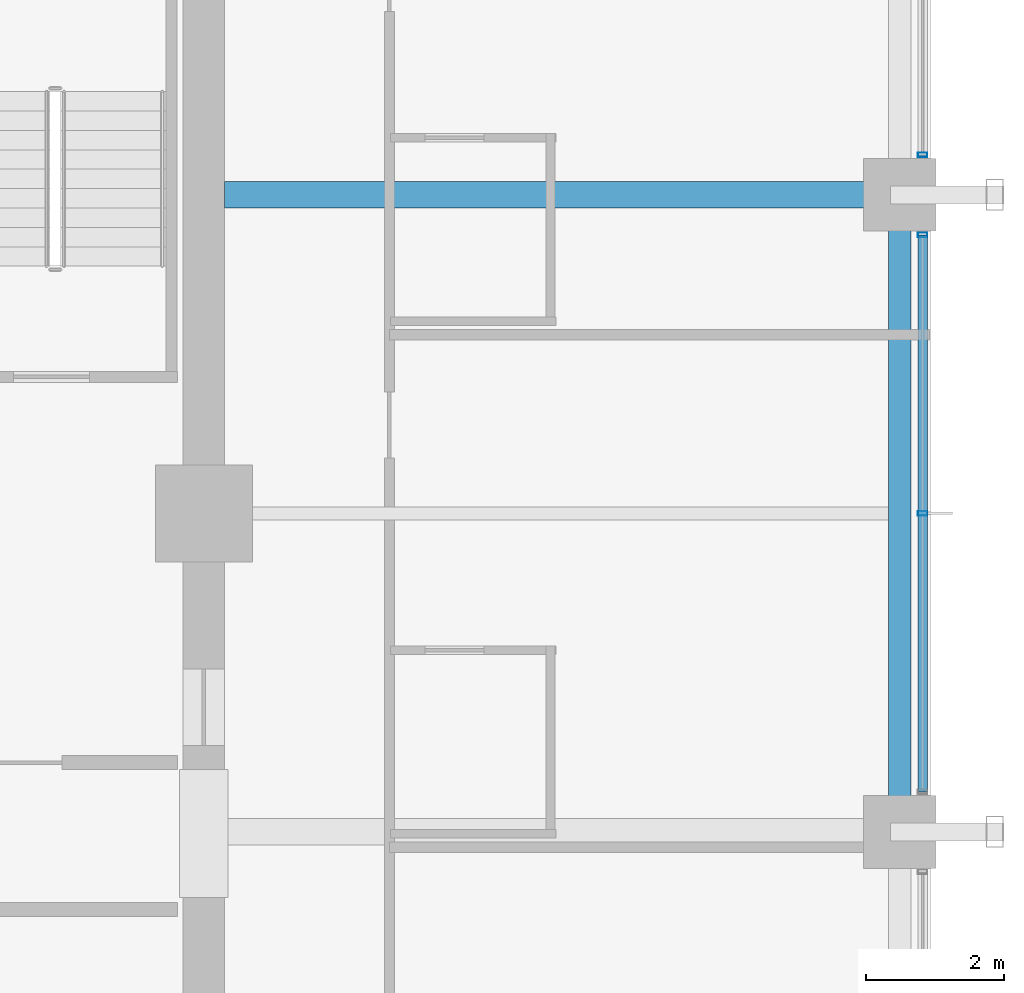
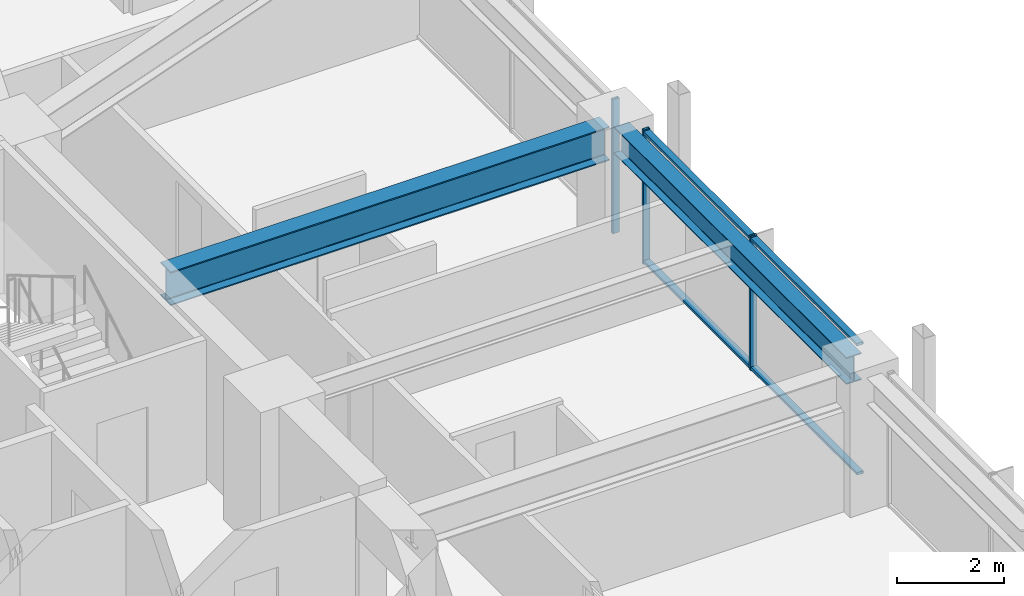
# One storey, part 16 of 38: 5 members, 2 beams, 2 elements without a shape of their own.
"""IFC4 building model written with IfcOpenShell, lengths in metres."""

import ifcopenshell
import ifcopenshell.guid

model = None  # the IFC model being written
_history = None  # IfcOwnerHistory: only IFC2X3 demands one
_inside = {}  # id of a spatial element -> (the spatial element, [elements in it])
_under = {}  # id of a project, library or spatial element -> (it, [spatial elements below it])
_declared = {}  # id of a project -> (the project, [libraries it declares])
_typed = {}  # id of a type object -> (the type object, [elements of that type])
_made_of = {}  # id of a material, layer set ... -> (it, [elements and type objects made of it])


def new_model(schema):
    """Start an empty IFC model of exactly this schema.

    Asked for "IFC4X3", IfcOpenShell would pick the latest addendum, in which some entities
    have other attributes; the version numbers below select the first issue.
    IFC2X3 requires an IfcOwnerHistory on every rooted entity: one is made here for all.
    """
    global model, _history
    if schema == "IFC4X3":
        model = ifcopenshell.file(schema_version=(4, 3, 0, 0))
    else:
        model = ifcopenshell.file(schema=schema)
    _inside.clear()
    _under.clear()
    _declared.clear()
    _typed.clear()
    _made_of.clear()
    _history = None
    if model.schema == "IFC2X3":
        org = make("IfcOrganization", Name="unknown")
        user = make(
            "IfcPersonAndOrganization",
            ThePerson=make("IfcPerson", FamilyName="unknown"),
            TheOrganization=org,
        )
        app = make(
            "IfcApplication",
            ApplicationDeveloper=org,
            Version="unknown",
            ApplicationFullName="unknown",
            ApplicationIdentifier="unknown",
        )
        _history = make(
            "IfcOwnerHistory",
            OwningUser=user,
            OwningApplication=app,
            ChangeAction="ADDED",
            CreationDate=0,
        )
    return model


def make(cls, **values):
    """One entity of the class cls with the attributes given. An attribute that is None is left unset."""
    return model.create_entity(
        cls, **{name: value for name, value in values.items() if value is not None}
    )


def rooted(cls, **values):
    """An entity with a GlobalId (a new one), such as an element, a storey or a relation."""
    return make(cls, GlobalId=ifcopenshell.guid.new(), OwnerHistory=_history, **values)


def si_unit(unit_type, name, prefix=None):
    """IfcSIUnit, for example si_unit("LENGTHUNIT", "METRE", prefix="MILLI")."""
    return make("IfcSIUnit", UnitType=unit_type, Prefix=prefix, Name=name)


def assignment(units):
    """IfcUnitAssignment: the units of a project."""
    return None if units is None else make("IfcUnitAssignment", Units=units)


def point(xyz):
    """IfcCartesianPoint."""
    return None if xyz is None else make("IfcCartesianPoint", Coordinates=xyz)


def direction(xyz):
    """IfcDirection."""
    return None if xyz is None else make("IfcDirection", DirectionRatios=xyz)


def frame(location, z_axis=None, x_axis=None):
    """IfcAxis2Placement3D, a coordinate frame: its origin and axes. An axis left out is left unset."""
    return make(
        "IfcAxis2Placement3D",
        Location=point(location),
        Axis=direction(z_axis),
        RefDirection=direction(x_axis),
    )


def frame_2d(location, x_axis=None):
    """IfcAxis2Placement2D, a coordinate frame in the plane: its origin and x axis."""
    return make(
        "IfcAxis2Placement2D", Location=point(location), RefDirection=direction(x_axis)
    )


def origin():
    """The frame at (0, 0, 0) with its axes left unset."""
    return frame((0.0, 0.0, 0.0))


def origin_2d():
    """The frame at (0, 0) in the plane with its x axis left unset."""
    return frame_2d((0.0, 0.0))


def place(relative_to, where):
    """IfcLocalPlacement: puts the frame where relative to a parent placement (None: the world)."""
    return make(
        "IfcLocalPlacement", PlacementRelTo=relative_to, RelativePlacement=where
    )


def context(
    kind, dimensions, precision=None, world=None, true_north=None, identifier=None
):
    """IfcGeometricRepresentationContext, for example the 3D "Model" context."""
    return make(
        "IfcGeometricRepresentationContext",
        ContextIdentifier=identifier,
        ContextType=kind,
        CoordinateSpaceDimension=dimensions,
        Precision=precision,
        WorldCoordinateSystem=world,
        TrueNorth=true_north,
    )


def subcontext(parent, identifier, kind, view, scale=None):
    """IfcGeometricRepresentationSubContext, for example "Body" below "Model"."""
    return make(
        "IfcGeometricRepresentationSubContext",
        ContextIdentifier=identifier,
        ContextType=kind,
        ParentContext=parent,
        TargetScale=scale,
        TargetView=view,
    )


def project(units=None, contexts=None):
    """IfcProject with its units and contexts."""
    return rooted(
        "IfcProject",
        Name="project",
        RepresentationContexts=contexts,
        UnitsInContext=assignment(units),
    )


def spatial(cls, under=None, at=None, **own):
    """A site, building, storey or space (cls), placed at a placement, below another one or the project."""
    s = rooted(cls, ObjectPlacement=at, **own)
    if under is not None:
        _under.setdefault(under.id(), (under, []))[1].append(s)
    return s


def profile(cls, at=None, kind="AREA", **sizes):
    """A parametric profile (cls). Its sizes go by their IFC names, for example OverallWidth=200.0."""
    return make(cls, ProfileType=kind, Position=at, **sizes)


def hollow_rectangle(**sizes):
    """IfcRectangleHollowProfileDef."""
    return profile("IfcRectangleHollowProfileDef", **sizes)


def i_section(**sizes):
    """IfcIShapeProfileDef."""
    return profile("IfcIShapeProfileDef", **sizes)


def extrude(swept, where, along, depth):
    """IfcExtrudedAreaSolid: the profile swept, set in the frame where, extruded along a direction by depth."""
    return make(
        "IfcExtrudedAreaSolid",
        SweptArea=swept,
        Position=where,
        ExtrudedDirection=direction(along),
        Depth=depth,
    )


def shape(context_of_items, identifier, shape_type, items):
    """IfcShapeRepresentation: the items that make up one representation, for example the "Body"."""
    return make(
        "IfcShapeRepresentation",
        ContextOfItems=context_of_items,
        RepresentationIdentifier=identifier,
        RepresentationType=shape_type,
        Items=items,
    )


def material(Name=None, Category=None):
    """IfcMaterial."""
    return make("IfcMaterial", Name=Name, Category=Category)


def material_profile(
    of_material, cross_section, Name=None, Category=None, Priority=None
):
    """IfcMaterialProfile: a cross section and its material."""
    return make(
        "IfcMaterialProfile",
        Name=Name,
        Material=of_material,
        Profile=cross_section,
        Priority=Priority,
        Category=Category,
    )


def profile_set(profiles, Name=None, composite=None):
    """IfcMaterialProfileSet."""
    return make(
        "IfcMaterialProfileSet",
        Name=Name,
        MaterialProfiles=profiles,
        CompositeProfile=composite,
    )


def made_of(thing, what):
    """Note that an element or type object is made of a material, layer set ...; save() writes the relation."""
    if what is not None:
        _made_of.setdefault(what.id(), (what, []))[1].append(thing)
    return thing


def type_object(cls, material=None, **own):
    """A type object (cls), such as IfcWallType, which elements share."""
    return made_of(rooted(cls, **own), material)


def element(
    cls,
    number,
    at=None,
    inside=None,
    cuts=None,
    type_object=None,
    material=None,
    context=None,
    identifier="Body",
    shape_type=None,
    held_by="IfcProductDefinitionShape",
    body=None,
    shapes=None,
    **own,
):
    """One element of the class cls, such as IfcWall. Its Tag is "e" and its number.

    at: its placement. inside: the storey or other place that contains it. cuts: it is an
    opening in that element (IfcRelVoidsElement). A single representation is given by context,
    identifier, shape_type and body (its items); several are given by shapes. held_by: the class
    of the entity that holds the representations. save() writes the other relations.
    """
    e = rooted(cls, Tag="e%d" % number, ObjectPlacement=at, **own)
    if body is not None:
        shapes = [shape(context, identifier, shape_type, body)]
    if shapes is not None:
        e.Representation = make(held_by, Representations=shapes)
    if inside is not None:
        _inside.setdefault(inside.id(), (inside, []))[1].append(e)
    if cuts is not None:
        rooted(
            "IfcRelVoidsElement", RelatingBuildingElement=cuts, RelatedOpeningElement=e
        )
    if type_object is not None:
        _typed.setdefault(type_object.id(), (type_object, []))[1].append(e)
    return made_of(e, material)


def aggregate(whole, parts):
    """IfcRelAggregates: a whole, such as a stair, and the parts it consists of."""
    return rooted("IfcRelAggregates", RelatingObject=whole, RelatedObjects=parts)


def save(model, path):
    """Write the relations noted so far, then the file.

    IfcRelAggregates (storeys below a building ...), IfcRelContainedInSpatialStructure (elements
    in a storey), IfcRelDefinesByType, IfcRelAssociatesMaterial and IfcRelDeclares: one each for
    every whole, place, type object, material and project.
    """
    for whole, parts in _under.values():
        aggregate(whole, parts)
    for where, things in _inside.values():
        rooted(
            "IfcRelContainedInSpatialStructure",
            RelatedElements=things,
            RelatingStructure=where,
        )
    for kind, things in _typed.values():
        rooted("IfcRelDefinesByType", RelatedObjects=things, RelatingType=kind)
    for what, things in _made_of.values():
        rooted("IfcRelAssociatesMaterial", RelatedObjects=things, RelatingMaterial=what)
    for by, libraries in _declared.values():
        rooted("IfcRelDeclares", RelatingContext=by, RelatedDefinitions=libraries)
    model.write(path)


model = new_model("IFC4")

# Units and contexts
model_context = context("Model", 3, precision=1e-05, world=origin(), true_north=direction((0.0, 1.0)))
body_context = subcontext(model_context, "Body", "Model", "MODEL_VIEW")
ifc_project = project(units=[si_unit("LENGTHUNIT", "METRE"), si_unit("AREAUNIT", "SQUARE_METRE"), si_unit("VOLUMEUNIT", "CUBIC_METRE"), si_unit("PLANEANGLEUNIT", "RADIAN"), si_unit("MASSUNIT", "GRAM", prefix="KILO")], contexts=[model_context])

# Site, building, storey
site_placement = place(None, origin())
site = spatial("IfcSite", under=ifc_project, at=site_placement, CompositionType="ELEMENT")
building_placement = place(site_placement, origin())
building = spatial("IfcBuilding", under=site, at=building_placement, Name="Kolvaren Belvedere", CompositionType="ELEMENT")
storey_placement = place(building_placement, frame((0.0, 0.0, 78.800048828125)))
storey = spatial("IfcBuildingStorey", under=building, at=storey_placement, Name="L22", CompositionType="ELEMENT", Elevation=78.800048828125)

# Beams
ifc_material_1 = material(Name="Structural steel ASTM A992 Grade 50", Category="steel")
ifc_material_profile_1 = material_profile(ifc_material_1, i_section(OverallWidth=0.381103515625, OverallDepth=0.77294921875, WebThickness=0.0166015625, FlangeThickness=0.027099609375, FilletRadius=0.02392578125, at=origin_2d()), Name="W30X173")
ifc_profile_set_1 = profile_set([ifc_material_profile_1], Name="Structural steel ASTM A992 Grade 50")
beam_type_1 = type_object("IfcBeamType", Name="BM-GIRD-W30X173", PredefinedType="BEAM", material=ifc_profile_set_1)
beam_1_placement = place(storey_placement, frame((10.199951171875, 4.60009765625, 2.693359375), z_axis=(1.0, 0.0, 0.0), x_axis=(0.0, 1.0, 0.0)))
element("IfcBeam", 1, at=beam_1_placement, inside=storey, type_object=beam_type_1, Name="L22 East Radial Girder P", PredefinedType="BEAM", context=body_context, shape_type="SweptSolid", body=[
    extrude(i_section(OverallWidth=0.381103515625, OverallDepth=0.77294921875, WebThickness=0.0166015625, FlangeThickness=0.027099609375, FilletRadius=0.02392578125, at=origin_2d()), origin(), (0.0, 0.0, 1.0), 9.513916015625),
])
ifc_material_2 = material(Name="Structural steel ASTM A992 Grade 50", Category="steel")
ifc_material_profile_2 = material_profile(ifc_material_2, i_section(OverallWidth=0.324951171875, OverallDepth=0.615966796875, WebThickness=0.013916015625, FlangeThickness=0.021484375, FilletRadius=0.02001953125, at=origin_2d()), Name="W24X117")
ifc_profile_set_2 = profile_set([ifc_material_profile_2], Name="Structural steel ASTM A992 Grade 50")
beam_type_2 = type_object("IfcBeamType", Name="BM-SPAN-W24X117", PredefinedType="SPANDREL", material=ifc_profile_set_2)
beam_2_placement = place(storey_placement, frame((19.949951171875, -4.36376953125, 2.77197265625), z_axis=(0.0, 1.0, 0.0), x_axis=(-1.0, 0.0, 0.0)))
element("IfcBeam", 2, at=beam_2_placement, inside=storey, type_object=beam_type_2, Name="L22 Perimeter Spandrel E2-E3", PredefinedType="SPANDREL", context=body_context, shape_type="SweptSolid", body=[
    extrude(i_section(OverallWidth=0.324951171875, OverallDepth=0.615966796875, WebThickness=0.013916015625, FlangeThickness=0.021484375, FilletRadius=0.02001953125, at=origin_2d()), origin(), (0.0, 0.0, 1.0), 8.7275390625),
])

# Curtain wall, member
ifc_material_3 = material(Name="Anodised pale-metal aluminium AA 6063-T6", Category="aluminium")
curtain_wall_type = type_object("IfcCurtainWallType", Name="CW-Z2-MID", PredefinedType="NOTDEFINED", material=ifc_material_3)
curtain_wall_1_placement = place(storey_placement, origin())
curtain_wall_1 = element("IfcCurtainWall", 3, at=curtain_wall_1_placement, inside=storey, type_object=curtain_wall_type, Name="L22 Unitised Curtain Wall FCW-L22-E-B1", PredefinedType="NOTDEFINED")
ifc_material_4 = material(Name="Anodised pale-metal aluminium AA 6063-T6", Category="aluminium")
ifc_material_profile_3 = material_profile(ifc_material_4, hollow_rectangle(XDim=0.06494140625, YDim=0.139892578125, WallThickness=0.00390625, at=origin_2d()), Name="ALU-MUL-140X65")
ifc_profile_set_3 = profile_set([ifc_material_profile_3], Name="Anodised pale-metal aluminium AA 6063-T6")
member_type_1 = type_object("IfcMemberType", Name="CW-MUL-140", PredefinedType="MULLION", material=ifc_profile_set_3)
member_1_placement = place(storey_placement, frame((20.280029296875, 5.177490234375, 0.0), z_axis=(0.0, 0.0, 1.0), x_axis=(0.0, 1.0, 0.0)))
member_1 = element("IfcMember", 4, at=member_1_placement, type_object=member_type_1, Name="FCW-L22-E-B1 Unitised Mullion 3", PredefinedType="MULLION", context=body_context, shape_type="SweptSolid", body=[
    extrude(hollow_rectangle(XDim=0.06494140625, YDim=0.139892578125, WallThickness=0.00390625, at=origin_2d()), origin(), (0.0, 0.0, 1.0), 3.079833984375),
])
aggregate(curtain_wall_1, [member_1])

# Curtain wall, members
curtain_wall_2_placement = place(storey_placement, origin())
curtain_wall_2 = element("IfcCurtainWall", 5, at=curtain_wall_2_placement, inside=storey, type_object=curtain_wall_type, Name="L22 Unitised Curtain Wall FCW-L22-E-B2", PredefinedType="NOTDEFINED")
member_2_placement = place(storey_placement, frame((20.280029296875, 4.0224609375, 0.0), z_axis=(0.0, 0.0, 1.0), x_axis=(0.0, 1.0, 0.0)))
member_2 = element("IfcMember", 6, at=member_2_placement, type_object=member_type_1, Name="FCW-L22-E-B2 Unitised Mullion 1", PredefinedType="MULLION", context=body_context, shape_type="SweptSolid", body=[
    extrude(hollow_rectangle(XDim=0.06494140625, YDim=0.139892578125, WallThickness=0.00390625, at=origin_2d()), origin(), (0.0, 0.0, 1.0), 3.079833984375),
])
member_3_placement = place(storey_placement, frame((20.280029296875, 0.0, 0.0), z_axis=(0.0, 0.0, 1.0), x_axis=(0.0, 1.0, 0.0)))
member_3 = element("IfcMember", 7, at=member_3_placement, type_object=member_type_1, Name="FCW-L22-E-B2 Unitised Mullion 2", PredefinedType="MULLION", context=body_context, shape_type="SweptSolid", body=[
    extrude(hollow_rectangle(XDim=0.06494140625, YDim=0.139892578125, WallThickness=0.00390625, at=origin_2d()), origin(), (0.0, 0.0, 1.0), 3.079833984375),
])
ifc_material_5 = material(Name="Anodised pale-metal aluminium AA 6063-T6", Category="aluminium")
ifc_material_profile_4 = material_profile(ifc_material_5, hollow_rectangle(XDim=0.06005859375, YDim=0.139892578125, WallThickness=0.00390625, at=origin_2d()), Name="ALU-TRN-140X60")
ifc_profile_set_4 = profile_set([ifc_material_profile_4], Name="Anodised pale-metal aluminium AA 6063-T6")
member_type_2 = type_object("IfcMemberType", Name="CW-TRN-140", PredefinedType="USERDEFINED", material=ifc_profile_set_4)
member_4_placement = place(storey_placement, frame((20.280029296875, 4.0224609375, 0.06005859375), z_axis=(0.0, -1.0, 0.0), x_axis=(0.0, 0.0, 1.0)))
member_4 = element("IfcMember", 8, at=member_4_placement, type_object=member_type_2, Name="FCW-L22-E-B2 Sill Transom", ObjectType="TRANSOM", PredefinedType="USERDEFINED", context=body_context, shape_type="SweptSolid", body=[
    extrude(hollow_rectangle(XDim=0.06005859375, YDim=0.139892578125, WallThickness=0.00390625, at=origin_2d()), origin(), (0.0, 0.0, 1.0), 8.044921875),
])
member_5_placement = place(storey_placement, frame((20.280029296875, 4.0224609375, 3.02001953125), z_axis=(0.0, -1.0, 0.0), x_axis=(0.0, 0.0, 1.0)))
member_5 = element("IfcMember", 9, at=member_5_placement, type_object=member_type_2, Name="FCW-L22-E-B2 Head Transom", ObjectType="TRANSOM", PredefinedType="USERDEFINED", context=body_context, shape_type="SweptSolid", body=[
    extrude(hollow_rectangle(XDim=0.06005859375, YDim=0.139892578125, WallThickness=0.00390625, at=origin_2d()), origin(), (0.0, 0.0, 1.0), 8.044921875),
])
aggregate(curtain_wall_2, [member_2, member_3, member_4, member_5])

save(model, "model.ifc")
